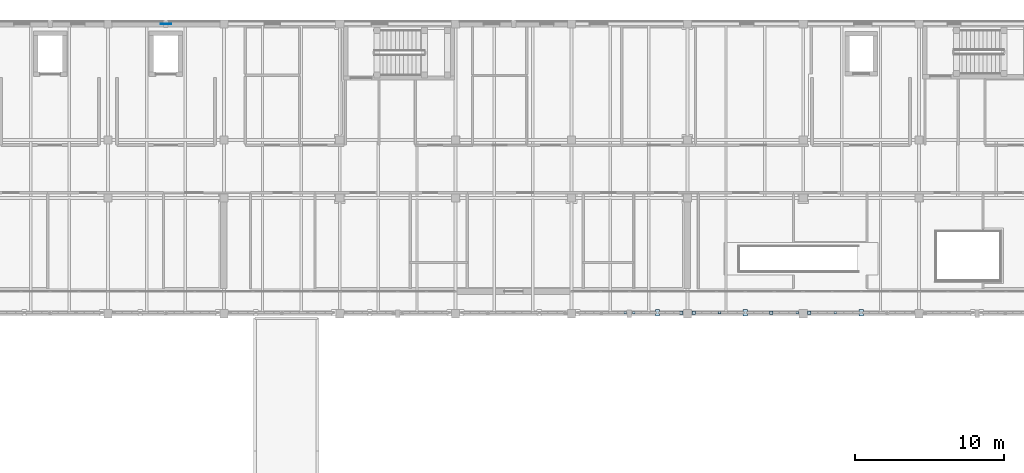
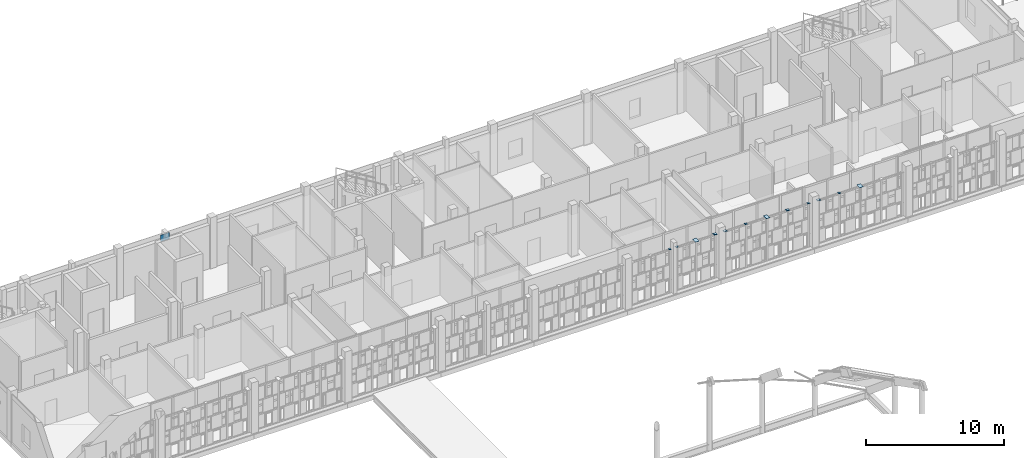
# One storey, part 83 of 119: 13 plates.
"""IFC4 building model written with IfcOpenShell, lengths in metres."""

from ifc_helpers import new_model, si_unit, direction, frame, origin, origin_2d, place, context, subcontext, project, spatial, rectangle, extrude, material, layer, layer_set, type_object, element, save


model = new_model("IFC4")

# Units and contexts
model_context = context("Model", 3, precision=1e-05, world=origin(), true_north=direction((0.0, 1.0)))
body_context = subcontext(model_context, "Body", "Model", "MODEL_VIEW")
ifc_project = project(units=[si_unit("LENGTHUNIT", "METRE"), si_unit("AREAUNIT", "SQUARE_METRE"), si_unit("VOLUMEUNIT", "CUBIC_METRE"), si_unit("PLANEANGLEUNIT", "RADIAN"), si_unit("MASSUNIT", "GRAM", prefix="KILO")], contexts=[model_context])

# Site, building, storey
site_placement = place(None, origin())
site = spatial("IfcSite", under=ifc_project, at=site_placement, CompositionType="ELEMENT")
building_placement = place(site_placement, origin())
building = spatial("IfcBuilding", under=site, at=building_placement, Name="Celorna Specialist Clinic", CompositionType="ELEMENT")
storey_placement = place(building_placement, frame((0.0, 0.0, 9.60009765625)))
storey = spatial("IfcBuildingStorey", under=building, at=storey_placement, Name="L02", CompositionType="ELEMENT", Elevation=9.60009765625)

# Plates
ifc_material = material(Name="Steel S355", Category="steel")
ifc_layer_1 = layer(ifc_material, 0.011962890625, Name="Steel S355")
ifc_layer_set_1 = layer_set([ifc_layer_1], Name="Steel S355")
plate_type_1 = type_object("IfcPlateType", Name="EP-06", PredefinedType="SHEET", material=ifc_layer_set_1)
for number, where, z_axis, x_axis, name in (
    (1, (97.2099609375, 96.580078125, 3.83984375), (0.0, 0.0, 1.0), (1.0, 0.0, 0.0), "Screen post cap plate EP-06 #1125"),
    (2, (97.7900390625, 96.580078125, 3.83984375), (0.0, 0.0, 1.0), (1.0, 0.0, 0.0), "Screen post cap plate EP-06 #1134"),
    (3, (103.5576171875, 96.580078125, 3.83984375), (0.0, 0.0, 1.0), (1.0, 0.0, 0.0), "Screen post cap plate EP-06 #1146"),
    (4, (108.784912109375, 96.580078125, 3.83984375), (0.0, 0.0, 1.0), (1.0, 0.0, 0.0), "Screen post cap plate EP-06 #1149"),
    (5, (111.357421875, 96.580078125, 3.83984375), (0.0, 0.0, 1.0), (1.0, 0.0, 0.0), "Screen post cap plate EP-06 #1167"),
):
    element("IfcPlate", number, at=place(storey_placement, frame(where, z_axis=z_axis, x_axis=x_axis)), inside=storey, type_object=plate_type_1, Name=name, PredefinedType="SHEET", context=body_context, shape_type="SweptSolid", body=[
        extrude(rectangle(XDim=0.179931640625, YDim=0.179931640625, at=origin_2d()), origin(), (0.0, 0.0, 1.0), 0.011962890625),
    ])
ifc_layer_2 = layer(ifc_material, 0.01611328125, Name="Steel S355")
ifc_layer_set_2 = layer_set([ifc_layer_2], Name="Steel S355")
plate_type_2 = type_object("IfcPlateType", Name="EP-07", PredefinedType="SHEET", material=ifc_layer_set_2)
for number, where, z_axis, x_axis, name in (
    (6, (99.387451171875, 96.580078125, 3.83984375), (0.0, 0.0, 1.0), (1.0, 0.0, 0.0), "Screen post cap plate EP-07 #1135"),
    (7, (105.300048828125, 96.580078125, 3.83984375), (0.0, 0.0, 1.0), (1.0, 0.0, 0.0), "Screen post cap plate EP-07 #1147"),
    (8, (113.10009765625, 96.580078125, 3.83984375), (0.0, 0.0, 1.0), (1.0, 0.0, 0.0), "Screen post cap plate EP-07 #1168"),
):
    element("IfcPlate", number, at=place(storey_placement, frame(where, z_axis=z_axis, x_axis=x_axis)), inside=storey, type_object=plate_type_2, Name=name, PredefinedType="SHEET", context=body_context, shape_type="SweptSolid", body=[
        extrude(rectangle(XDim=0.300048828125, YDim=0.43994140625, at=origin_2d()), origin(), (0.0, 0.0, 1.0), 0.01611328125),
    ])
ifc_layer_3 = layer(ifc_material, 0.013916015625, Name="Steel S355")
ifc_layer_set_3 = layer_set([ifc_layer_3], Name="Steel S355")
plate_type_3 = type_object("IfcPlateType", Name="EP-08", PredefinedType="SHEET", material=ifc_layer_set_3)
for number, where, z_axis, x_axis, name in (
    (9, (100.985107421875, 96.580078125, 3.83984375), (0.0, 0.0, 1.0), (1.0, 0.0, 0.0), "Screen post cap plate EP-08 #1136"),
    (10, (101.81494140625, 96.580078125, 3.83984375), (0.0, 0.0, 1.0), (1.0, 0.0, 0.0), "Screen post cap plate EP-08 #1145"),
    (11, (107.04248046875, 96.580078125, 3.83984375), (0.0, 0.0, 1.0), (1.0, 0.0, 0.0), "Screen post cap plate EP-08 #1148"),
    (12, (109.614990234375, 96.580078125, 3.83984375), (0.0, 0.0, 1.0), (1.0, 0.0, 0.0), "Screen post cap plate EP-08 #1166"),
):
    element("IfcPlate", number, at=place(storey_placement, frame(where, z_axis=z_axis, x_axis=x_axis)), inside=storey, type_object=plate_type_3, Name=name, PredefinedType="SHEET", context=body_context, shape_type="SweptSolid", body=[
        extrude(rectangle(XDim=0.239990234375, YDim=0.239990234375, at=origin_2d()), origin(), (0.0, 0.0, 1.0), 0.013916015625),
    ])
ifc_layer_4 = layer(ifc_material, 0.02490234375, Name="Steel S355")
ifc_layer_set_4 = layer_set([ifc_layer_4], Name="Steel S355")
plate_type_4 = type_object("IfcPlateType", Name="GP-02", PredefinedType="USERDEFINED", material=ifc_layer_set_4)
plate_placement = place(storey_placement, frame((66.300048828125, 116.0, 3.669921875), z_axis=(0.0, 0.0, 1.0), x_axis=(1.0, 0.0, 0.0)))
element("IfcPlate", 13, at=plate_placement, inside=storey, type_object=plate_type_4, Name="Chevron apex gusset plate GP-02 #82", ObjectType="GUSSET PLATE", PredefinedType="USERDEFINED", context=body_context, shape_type="SweptSolid", body=[
    extrude(rectangle(XDim=0.719970703125, YDim=0.02490234375, at=origin_2d()), origin(), (0.0, 0.0, 1.0), 0.56005859375),
])

save(model, "model.ifc")
